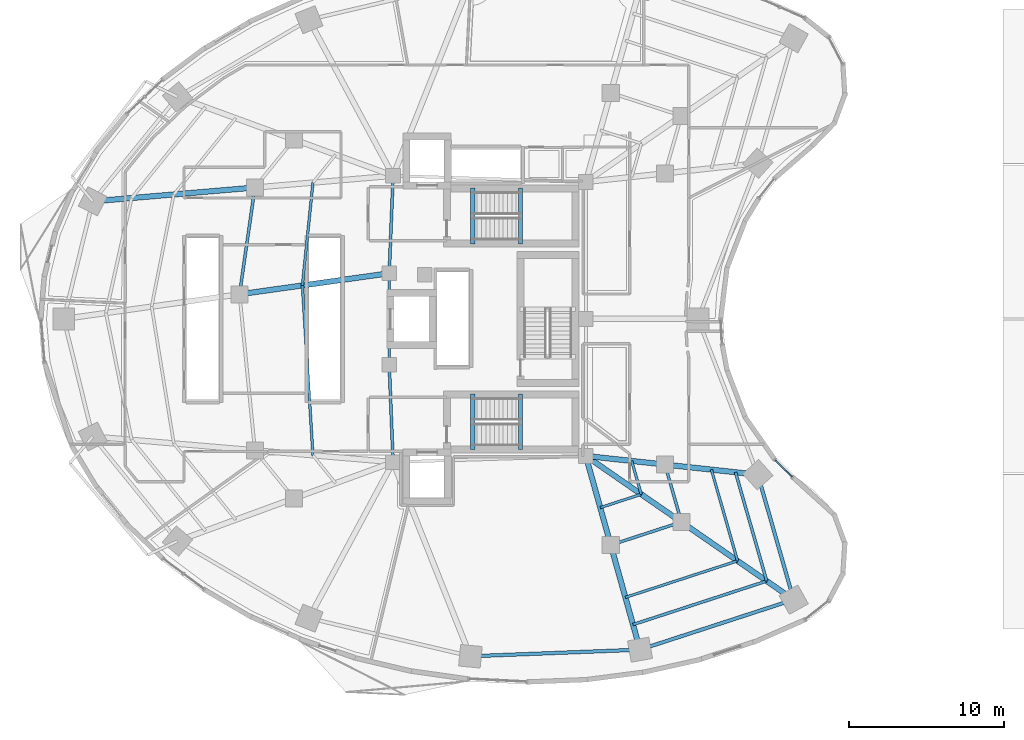
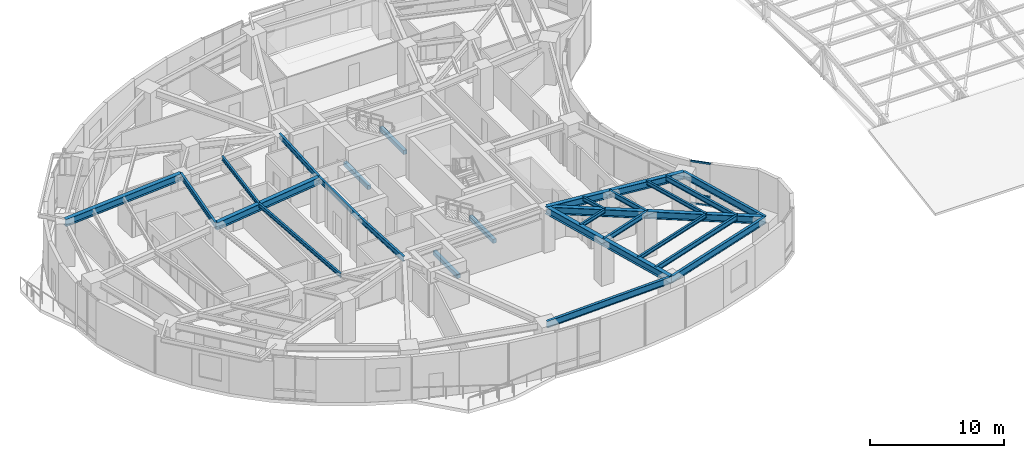
# One storey, part 4 of 17: 29 beams, 3 members, 1 element without a shape of its own.
"""IFC4 building model written with IfcOpenShell, lengths in metres."""

from ifc_helpers import new_model, si_unit, direction, frame, origin, origin_2d, place, context, subcontext, project, spatial, rectangle, i_section, extrude, material, layer, layer_set, material_profile, profile_set, type_object, element, aggregate, save


model = new_model("IFC4")

# Units and contexts
model_context = context("Model", 3, precision=1e-05, world=origin(), true_north=direction((0.0, 1.0)))
body_context = subcontext(model_context, "Body", "Model", "MODEL_VIEW")
ifc_project = project(units=[si_unit("LENGTHUNIT", "METRE"), si_unit("AREAUNIT", "SQUARE_METRE"), si_unit("VOLUMEUNIT", "CUBIC_METRE"), si_unit("PLANEANGLEUNIT", "RADIAN"), si_unit("MASSUNIT", "GRAM", prefix="KILO")], contexts=[model_context])

# Site, building, storey
site_placement = place(None, origin())
site = spatial("IfcSite", under=ifc_project, at=site_placement, CompositionType="ELEMENT")
building_placement = place(site_placement, origin())
building = spatial("IfcBuilding", under=site, at=building_placement, Name="Korentha Bioscience Tower", CompositionType="ELEMENT")
storey_placement = place(building_placement, frame((0.0, 0.0, 25.800048828125)))
storey = spatial("IfcBuildingStorey", under=building, at=storey_placement, Name="L05", CompositionType="ELEMENT", Elevation=25.800048828125)

# Beams
ifc_material_1 = material(Name="Concrete C50", Category="concrete")
ifc_material_profile_1 = material_profile(ifc_material_1, rectangle(XDim=0.280029296875, YDim=0.3798828125, at=origin_2d()), Name="Concrete C50")
ifc_profile_set_1 = profile_set([ifc_material_profile_1], Name="Concrete C50 (ST-HB380)")
beam_type_1 = type_object("IfcBeamType", Name="Concrete Stair Header Beam RC 280x380", PredefinedType="BEAM", material=ifc_profile_set_1)
for number, where, z_axis, x_axis, name in (
    (1, (30.25, 31.85009765625, -0.18994140625), (0.0, 1.0, 0.0), (-1.0, 0.0, 0.0), "L05 ST-1 Concrete Stair Header Beam"),
    (2, (33.330078125, 31.85009765625, 1.909912109375), (0.0, 1.0, 0.0), (-1.0, 0.0, 0.0), "L05 ST-1 Half-Landing Header Beam 1"),
    (3, (30.25, 18.550048828125, -0.18994140625), (0.0, 1.0, 0.0), (-1.0, 0.0, 0.0), "L05 ST-2 Concrete Stair Header Beam"),
    (4, (33.330078125, 18.550048828125, 1.909912109375), (0.0, 1.0, 0.0), (-1.0, 0.0, 0.0), "L05 ST-2 Half-Landing Header Beam 1"),
):
    element("IfcBeam", number, at=place(storey_placement, frame(where, z_axis=z_axis, x_axis=x_axis)), inside=storey, type_object=beam_type_1, Name=name, PredefinedType="BEAM", context=body_context, shape_type="SweptSolid", body=[
        extrude(rectangle(XDim=0.280029296875, YDim=0.3798828125, at=origin_2d()), origin(), (0.0, 0.0, 1.0), 3.599853515625),
    ])
ifc_material_2 = material(Name="Steel S355", Category="steel")
ifc_material_profile_2 = material_profile(ifc_material_2, i_section(OverallWidth=0.18994140625, OverallDepth=0.45703125, WebThickness=0.009033203125, FlangeThickness=0.014404296875, at=origin_2d()), Name="Steel S355")
ifc_profile_set_2 = profile_set([ifc_material_profile_2], Name="Steel S355 (MB-460)")
beam_type_2 = type_object("IfcBeamType", Name="Mid-Ring Tie Girder W460x74", PredefinedType="BEAM", material=ifc_profile_set_2)
beam_1_placement = place(storey_placement, frame((16.174072265625, 35.489013671875, 3.67138671875), z_axis=(-0.14286846228, -0.989741684727, 0.0), x_axis=(0.989741684727, -0.14286846228, 0.0)))
element("IfcBeam", 5, at=beam_1_placement, inside=storey, type_object=beam_type_2, Name="L05 Mid-Ring Tie Girder 06", PredefinedType="BEAM", context=body_context, shape_type="SweptSolid", body=[
    extrude(i_section(OverallWidth=0.18994140625, OverallDepth=0.45703125, WebThickness=0.009033203125, FlangeThickness=0.014404296875, at=origin_2d()), origin(), (0.0, 0.0, 1.0), 6.967041015625),
])
beam_2_placement = place(storey_placement, frame((39.1611328125, 12.392333984375, 3.67138671875), z_axis=(0.950877001105, 0.309568940253, 0.0), x_axis=(-0.309568940253, 0.950877001105, 0.0)))
element("IfcBeam", 6, at=beam_2_placement, inside=storey, type_object=beam_type_2, Name="L05 Mid-Ring Tie Girder 12", PredefinedType="BEAM", context=body_context, shape_type="SweptSolid", body=[
    extrude(i_section(OverallWidth=0.18994140625, OverallDepth=0.45703125, WebThickness=0.009033203125, FlangeThickness=0.014404296875, at=origin_2d()), origin(), (0.0, 0.0, 1.0), 4.80126953125),
])
beam_3_placement = place(storey_placement, frame((43.7265625, 13.878662109375, 3.67138671875), z_axis=(-0.27560557792, 0.961270807535, 0.0), x_axis=(-0.961270807535, -0.27560557792, 0.0)))
element("IfcBeam", 7, at=beam_3_placement, inside=storey, type_object=beam_type_2, Name="L05 Mid-Ring Tie Girder 13", PredefinedType="BEAM", context=body_context, shape_type="SweptSolid", body=[
    extrude(i_section(OverallWidth=0.18994140625, OverallDepth=0.45703125, WebThickness=0.009033203125, FlangeThickness=0.014404296875, at=origin_2d()), origin(), (0.0, 0.0, 1.0), 3.864013671875),
])
beam_4_placement = place(storey_placement, frame((25.10009765625, 36.25, 3.67138671875), z_axis=(-0.039651025576, -0.999213588864, 0.0), x_axis=(0.999213588864, -0.039651025576, 0.0)))
element("IfcBeam", 8, at=beam_4_placement, inside=storey, type_object=beam_type_2, Name="L05 Core Ring Tie Girder 02", PredefinedType="BEAM", context=body_context, shape_type="SweptSolid", body=[
    extrude(i_section(OverallWidth=0.18994140625, OverallDepth=0.45703125, WebThickness=0.009033203125, FlangeThickness=0.014404296875, at=origin_2d()), origin(), (0.0, 0.0, 1.0), 6.304931640625),
])
beam_5_placement = place(storey_placement, frame((24.85009765625, 29.949951171875, 3.67138671875), z_axis=(0.0, -1.0, 0.0), x_axis=(1.0, 0.0, 0.0)))
element("IfcBeam", 9, at=beam_5_placement, inside=storey, type_object=beam_type_2, Name="L05 Core Ring Tie Girder 03", PredefinedType="BEAM", context=body_context, shape_type="SweptSolid", body=[
    extrude(i_section(OverallWidth=0.18994140625, OverallDepth=0.45703125, WebThickness=0.009033203125, FlangeThickness=0.014404296875, at=origin_2d()), origin(), (0.0, 0.0, 1.0), 5.89990234375),
])
beam_6_placement = place(storey_placement, frame((24.85009765625, 24.050048828125, 3.67138671875), z_axis=(0.039651025576, -0.999213588864, 0.0), x_axis=(0.999213588864, 0.039651025576, 0.0)))
element("IfcBeam", 10, at=beam_6_placement, inside=storey, type_object=beam_type_2, Name="L05 Core Ring Tie Girder 04", PredefinedType="BEAM", context=body_context, shape_type="SweptSolid", body=[
    extrude(i_section(OverallWidth=0.18994140625, OverallDepth=0.45703125, WebThickness=0.009033203125, FlangeThickness=0.014404296875, at=origin_2d()), origin(), (0.0, 0.0, 1.0), 6.304931640625),
])
ifc_material_profile_3 = material_profile(ifc_material_2, i_section(OverallWidth=0.22802734375, OverallDepth=0.60791015625, WebThickness=0.01123046875, FlangeThickness=0.017333984375, at=origin_2d()), Name="Steel S355")
ifc_profile_set_3 = profile_set([ifc_material_profile_3], Name="Steel S355 (SB-610)")
beam_type_3 = type_object("IfcBeamType", Name="Perimeter Ring Spandrel Girder W610x113", PredefinedType="SPANDREL", material=ifc_profile_set_3)
beam_7_placement = place(storey_placement, frame((30.09423828125, 5.20751953125, 3.595947265625), z_axis=(0.999246003889, 0.03882555488, 0.0), x_axis=(-0.03882555488, 0.999246003889, 0.0)))
element("IfcBeam", 11, at=beam_7_placement, inside=storey, type_object=beam_type_3, Name="L05 Perimeter Spandrel Girder 11", PredefinedType="SPANDREL", context=body_context, shape_type="SweptSolid", body=[
    extrude(i_section(OverallWidth=0.22802734375, OverallDepth=0.60791015625, WebThickness=0.01123046875, FlangeThickness=0.017333984375, at=origin_2d()), origin(), (0.0, 0.0, 1.0), 10.966552734375),
])
beam_8_placement = place(storey_placement, frame((41.052490234375, 5.63330078125, 3.595947265625), z_axis=(0.95087511444, 0.309574735305, 0.0), x_axis=(-0.309574735305, 0.95087511444, 0.0)))
element("IfcBeam", 12, at=beam_8_placement, inside=storey, type_object=beam_type_3, Name="L05 Perimeter Spandrel Girder 12", PredefinedType="SPANDREL", context=body_context, shape_type="SweptSolid", body=[
    extrude(i_section(OverallWidth=0.22802734375, OverallDepth=0.60791015625, WebThickness=0.01123046875, FlangeThickness=0.017333984375, at=origin_2d()), origin(), (0.0, 0.0, 1.0), 10.4375),
])
beam_9_placement = place(storey_placement, frame((50.977294921875, 8.864501953125, 3.595947265625), z_axis=(-0.275642273411, 0.961260285827, 0.0), x_axis=(-0.961260285827, -0.275642273411, 0.0)))
element("IfcBeam", 13, at=beam_9_placement, inside=storey, type_object=beam_type_3, Name="L05 Perimeter Spandrel Girder 13", PredefinedType="SPANDREL", context=body_context, shape_type="SweptSolid", body=[
    extrude(i_section(OverallWidth=0.22802734375, OverallDepth=0.60791015625, WebThickness=0.01123046875, FlangeThickness=0.017333984375, at=origin_2d()), origin(), (0.0, 0.0, 1.0), 8.400146484375),
])
ifc_material_profile_4 = material_profile(ifc_material_2, i_section(OverallWidth=0.18994140625, OverallDepth=0.45703125, WebThickness=0.009033203125, FlangeThickness=0.014404296875, at=origin_2d()), Name="Steel S355")
ifc_profile_set_4 = profile_set([ifc_material_profile_4], Name="Steel S355 (RB-460)")
beam_type_4 = type_object("IfcBeamType", Name="Radial Laboratory Beam W460x74", PredefinedType="BEAM", material=ifc_profile_set_4)
beam_10_placement = place(storey_placement, frame((40.5986328125, 7.255615234375, 3.67138671875), z_axis=(0.95087437499, 0.309577006554, 0.0), x_axis=(-0.309577006554, 0.95087437499, 0.0)))
element("IfcBeam", 14, at=beam_10_placement, inside=storey, type_object=beam_type_4, Name="L05 Secondary Floor Beam JSTO-12", PredefinedType="BEAM", context=body_context, shape_type="SweptSolid", body=[
    extrude(i_section(OverallWidth=0.18994140625, OverallDepth=0.45703125, WebThickness=0.009033203125, FlangeThickness=0.014404296875, at=origin_2d()), origin(), (0.0, 0.0, 1.0), 9.0849609375),
])
beam_11_placement = place(storey_placement, frame((49.2373046875, 10.068115234375, 3.67138671875), z_axis=(-0.275682421415, 0.961248772443, 0.0), x_axis=(-0.961248772443, -0.275682421415, 0.0)))
element("IfcBeam", 15, at=beam_11_placement, inside=storey, type_object=beam_type_4, Name="L05 Secondary Floor Beam JSTO-13", PredefinedType="BEAM", context=body_context, shape_type="SweptSolid", body=[
    extrude(i_section(OverallWidth=0.18994140625, OverallDepth=0.45703125, WebThickness=0.009033203125, FlangeThickness=0.014404296875, at=origin_2d()), origin(), (0.0, 0.0, 1.0), 7.3115234375),
])
ifc_material_profile_5 = material_profile(ifc_material_2, i_section(OverallWidth=0.35009765625, OverallDepth=0.64990234375, WebThickness=0.01611328125, FlangeThickness=0.02490234375, at=origin_2d()), Name="Steel S355")
ifc_profile_set_5 = profile_set([ifc_material_profile_5], Name="Steel S355 (RB-650)")
beam_type_5 = type_object("IfcBeamType", Name="Radial Laboratory Girder CVS 650x208", PredefinedType="BEAM", material=ifc_profile_set_5)
beam_12_placement = place(storey_placement, frame((16.174072265625, 35.489013671875, 3.574951171875), z_axis=(-0.996385601055, -0.084945476695, 0.0), x_axis=(0.084945476695, -0.996385601055, 0.0)))
element("IfcBeam", 16, at=beam_12_placement, inside=storey, type_object=beam_type_5, Name="L05 Outer Radial Girder 06", PredefinedType="BEAM", context=body_context, shape_type="SweptSolid", body=[
    extrude(i_section(OverallWidth=0.35009765625, OverallDepth=0.64990234375, WebThickness=0.01611328125, FlangeThickness=0.02490234375, at=origin_2d()), origin(), (0.0, 0.0, 1.0), 10.516357421875),
])
beam_13_placement = place(storey_placement, frame((24.85009765625, 29.949951171875, 3.574951171875), z_axis=(-0.990307253072, -0.138894004596, 0.0), x_axis=(0.138894004596, -0.990307253072, 0.0)))
element("IfcBeam", 17, at=beam_13_placement, inside=storey, type_object=beam_type_5, Name="L05 Inner Radial Girder 07", PredefinedType="BEAM", context=body_context, shape_type="SweptSolid", body=[
    extrude(i_section(OverallWidth=0.35009765625, OverallDepth=0.64990234375, WebThickness=0.01611328125, FlangeThickness=0.02490234375, at=origin_2d()), origin(), (0.0, 0.0, 1.0), 9.76611328125),
])
beam_14_placement = place(storey_placement, frame((37.550048828125, 18.14990234375, 3.574951171875), z_axis=(0.269469369205, -0.963008961049, 0.0), x_axis=(0.963008961049, 0.269469369205, 0.0)))
element("IfcBeam", 18, at=beam_14_placement, inside=storey, type_object=beam_type_5, Name="L05 Inner Radial Girder 12", PredefinedType="BEAM", context=body_context, shape_type="SweptSolid", body=[
    extrude(i_section(OverallWidth=0.35009765625, OverallDepth=0.64990234375, WebThickness=0.01611328125, FlangeThickness=0.02490234375, at=origin_2d()), origin(), (0.0, 0.0, 1.0), 5.978759765625),
])
beam_15_placement = place(storey_placement, frame((39.1611328125, 12.392333984375, 3.574951171875), z_axis=(0.269475095129, -0.963007358801, 0.0), x_axis=(0.963007358801, 0.269475095129, 0.0)))
element("IfcBeam", 19, at=beam_15_placement, inside=storey, type_object=beam_type_5, Name="L05 Outer Radial Girder 12", PredefinedType="BEAM", context=body_context, shape_type="SweptSolid", body=[
    extrude(i_section(OverallWidth=0.35009765625, OverallDepth=0.64990234375, WebThickness=0.01611328125, FlangeThickness=0.02490234375, at=origin_2d()), origin(), (0.0, 0.0, 1.0), 7.0185546875),
])
beam_16_placement = place(storey_placement, frame((37.550048828125, 18.14990234375, 3.574951171875), z_axis=(0.822491697625, -0.568777115694, 0.0), x_axis=(0.568777115694, 0.822491697625, 0.0)))
element("IfcBeam", 20, at=beam_16_placement, inside=storey, type_object=beam_type_5, Name="L05 Inner Radial Girder 13", PredefinedType="BEAM", context=body_context, shape_type="SweptSolid", body=[
    extrude(i_section(OverallWidth=0.35009765625, OverallDepth=0.64990234375, WebThickness=0.01611328125, FlangeThickness=0.02490234375, at=origin_2d()), origin(), (0.0, 0.0, 1.0), 7.509521484375),
])
beam_17_placement = place(storey_placement, frame((43.7265625, 13.878662109375, 3.574951171875), z_axis=(0.822488186113, -0.568782193555, 0.0), x_axis=(0.568782193555, 0.822488186113, 0.0)))
element("IfcBeam", 21, at=beam_17_placement, inside=storey, type_object=beam_type_5, Name="L05 Outer Radial Girder 13", PredefinedType="BEAM", context=body_context, shape_type="SweptSolid", body=[
    extrude(i_section(OverallWidth=0.35009765625, OverallDepth=0.64990234375, WebThickness=0.01611328125, FlangeThickness=0.02490234375, at=origin_2d()), origin(), (0.0, 0.0, 1.0), 8.815673828125),
])
beam_18_placement = place(storey_placement, frame((37.550048828125, 18.14990234375, 3.574951171875), z_axis=(0.994117709144, -0.10830503389, 0.0), x_axis=(0.10830503389, 0.994117709144, 0.0)))
element("IfcBeam", 22, at=beam_18_placement, inside=storey, type_object=beam_type_5, Name="L05 Inner Radial Girder 14", PredefinedType="BEAM", context=body_context, shape_type="SweptSolid", body=[
    extrude(i_section(OverallWidth=0.35009765625, OverallDepth=0.64990234375, WebThickness=0.01611328125, FlangeThickness=0.02490234375, at=origin_2d()), origin(), (0.0, 0.0, 1.0), 5.141845703125),
])
beam_19_placement = place(storey_placement, frame((42.66162109375, 17.593017578125, 3.574951171875), z_axis=(0.994115805925, -0.108322501862, 0.0), x_axis=(0.108322501862, 0.994115805925, 0.0)))
element("IfcBeam", 23, at=beam_19_placement, inside=storey, type_object=beam_type_5, Name="L05 Outer Radial Girder 14", PredefinedType="BEAM", context=body_context, shape_type="SweptSolid", body=[
    extrude(i_section(OverallWidth=0.35009765625, OverallDepth=0.64990234375, WebThickness=0.01611328125, FlangeThickness=0.02490234375, at=origin_2d()), origin(), (0.0, 0.0, 1.0), 6.03564453125),
])
ifc_material_profile_6 = material_profile(ifc_material_2, i_section(OverallWidth=0.1708984375, OverallDepth=0.35498046875, WebThickness=0.007080078125, FlangeThickness=0.01171875, at=origin_2d()), Name="Steel S355")
ifc_profile_set_6 = profile_set([ifc_material_profile_6], Name="Steel S355 (JB-360)")
beam_type_6 = type_object("IfcBeamType", Name="Secondary Laboratory Joist W360x51", PredefinedType="JOIST", material=ifc_profile_set_6)
beam_20_placement = place(storey_placement, frame((19.9228515625, 35.80859375, 3.722412109375), z_axis=(-0.102144778597, -0.994769543264, 0.0), x_axis=(0.994769543264, -0.102144778597, 0.0)))
element("IfcBeam", 24, at=beam_20_placement, inside=storey, type_object=beam_type_6, Name="L05 Inner Bay Joist 06", PredefinedType="JOIST", context=body_context, shape_type="SweptSolid", body=[
    extrude(i_section(OverallWidth=0.1708984375, OverallDepth=0.35498046875, WebThickness=0.007080078125, FlangeThickness=0.01171875, at=origin_2d()), origin(), (0.0, 0.0, 1.0), 6.680419921875),
])
beam_21_placement = place(storey_placement, frame((19.240478515625, 29.1630859375, 3.722412109375), z_axis=(0.062074098012, -0.998071543706, 0.0), x_axis=(0.998071543706, 0.062074098012, 0.0)))
element("IfcBeam", 25, at=beam_21_placement, inside=storey, type_object=beam_type_6, Name="L05 Inner Bay Joist 07", PredefinedType="JOIST", context=body_context, shape_type="SweptSolid", body=[
    extrude(i_section(OverallWidth=0.1708984375, OverallDepth=0.35498046875, WebThickness=0.007080078125, FlangeThickness=0.01171875, at=origin_2d()), origin(), (0.0, 0.0, 1.0), 10.992919921875),
])
beam_22_placement = place(storey_placement, frame((40.10693359375, 9.0126953125, 3.722412109375), z_axis=(0.950870992772, 0.309587394938, 0.0), x_axis=(-0.309587394938, 0.950870992772, 0.0)))
element("IfcBeam", 26, at=beam_22_placement, inside=storey, type_object=beam_type_6, Name="L05 Secondary Floor Beam JST-12", PredefinedType="JOIST", context=body_context, shape_type="SweptSolid", body=[
    extrude(i_section(OverallWidth=0.1708984375, OverallDepth=0.35498046875, WebThickness=0.007080078125, FlangeThickness=0.01171875, at=origin_2d()), origin(), (0.0, 0.0, 1.0), 7.619384765625),
])
beam_23_placement = place(storey_placement, frame((38.484619140625, 14.810546875, 3.722412109375), z_axis=(0.950869630746, 0.309591578254, 0.0), x_axis=(-0.309591578254, 0.950869630746, 0.0)))
element("IfcBeam", 27, at=beam_23_placement, inside=storey, type_object=beam_type_6, Name="L05 Inner Bay Joist 12", PredefinedType="JOIST", context=body_context, shape_type="SweptSolid", body=[
    extrude(i_section(OverallWidth=0.1708984375, OverallDepth=0.35498046875, WebThickness=0.007080078125, FlangeThickness=0.01171875, at=origin_2d()), origin(), (0.0, 0.0, 1.0), 2.784423828125),
])
beam_24_placement = place(storey_placement, frame((47.35205078125, 11.37158203125, 3.722412109375), z_axis=(-0.275667500387, 0.96125305161, 0.0), x_axis=(-0.96125305161, -0.275667500387, 0.0)))
element("IfcBeam", 28, at=beam_24_placement, inside=storey, type_object=beam_type_6, Name="L05 Secondary Floor Beam JST-13", PredefinedType="JOIST", context=body_context, shape_type="SweptSolid", body=[
    extrude(i_section(OverallWidth=0.1708984375, OverallDepth=0.35498046875, WebThickness=0.007080078125, FlangeThickness=0.01171875, at=origin_2d()), origin(), (0.0, 0.0, 1.0), 6.132080078125),
])
beam_25_placement = place(storey_placement, frame((41.13232421875, 15.672607421875, 3.722412109375), z_axis=(-0.275613067773, 0.961268660091, 0.0), x_axis=(-0.961268660091, -0.275613067773, 0.0)))
element("IfcBeam", 29, at=beam_25_placement, inside=storey, type_object=beam_type_6, Name="L05 Inner Bay Joist 13", PredefinedType="JOIST", context=body_context, shape_type="SweptSolid", body=[
    extrude(i_section(OverallWidth=0.1708984375, OverallDepth=0.35498046875, WebThickness=0.007080078125, FlangeThickness=0.01171875, at=origin_2d()), origin(), (0.0, 0.0, 1.0), 2.2412109375),
])

# Curtain wall, members
ifc_material_3 = material(Name="Thermally Broken Aluminium Frame", Category="aluminium")
ifc_layer = layer(ifc_material_3, 0.219970703125, Name="Thermally Broken Aluminium Frame")
ifc_layer_set = layer_set([ifc_layer], Name="Thermally Broken Aluminium Frame (CW-T1)")
curtain_wall_type = type_object("IfcCurtainWallType", Name="Standard Bioscience Lab Unitised Curtain Wall CW-T1", PredefinedType="USERDEFINED", material=ifc_layer_set)
curtain_wall_placement = place(storey_placement, origin())
curtain_wall = element("IfcCurtainWall", 30, at=curtain_wall_placement, inside=storey, type_object=curtain_wall_type, Name="L05 Curtain Wall 43", ObjectType="UNITISED", PredefinedType="USERDEFINED")
ifc_material_4 = material(Name="Anodised Aluminium 6063-T6", Category="aluminium")
ifc_material_profile_7 = material_profile(ifc_material_4, rectangle(XDim=0.090087890625, YDim=0.159912109375, at=origin_2d()), Name="Anodised Aluminium 6063-T6")
ifc_profile_set_7 = profile_set([ifc_material_profile_7], Name="Anodised Aluminium 6063-T6 (CW-TRN)")
member_type = type_object("IfcMemberType", Name="Transom RECT 90x160", PredefinedType="USERDEFINED", material=ifc_profile_set_7)
member_1_placement = place(storey_placement, frame((50.8818359375, 16.796875, 0.044921875), z_axis=(-0.713350356322, 0.700807583531, 0.0), x_axis=(-0.700807583531, -0.713350356322, 0.0)))
member_1 = element("IfcMember", 31, at=member_1_placement, type_object=member_type, Name="CW-L05-43 Bay 1 Transom 1", ObjectType="TRANSOM", PredefinedType="USERDEFINED", context=body_context, shape_type="SweptSolid", body=[
    extrude(rectangle(XDim=0.090087890625, YDim=0.159912109375, at=origin_2d()), origin(), (0.0, 0.0, 1.0), 1.53759765625),
])
member_2_placement = place(storey_placement, frame((50.8818359375, 16.796875, 0.849853515625), z_axis=(-0.713350356322, 0.700807583531, 0.0), x_axis=(-0.700807583531, -0.713350356322, 0.0)))
member_2 = element("IfcMember", 32, at=member_2_placement, type_object=member_type, Name="CW-L05-43 Bay 1 Transom 2", ObjectType="TRANSOM", PredefinedType="USERDEFINED", context=body_context, shape_type="SweptSolid", body=[
    extrude(rectangle(XDim=0.090087890625, YDim=0.159912109375, at=origin_2d()), origin(), (0.0, 0.0, 1.0), 1.53759765625),
])
member_3_placement = place(storey_placement, frame((50.8818359375, 16.796875, 3.85498046875), z_axis=(-0.713350356322, 0.700807583531, 0.0), x_axis=(-0.700807583531, -0.713350356322, 0.0)))
member_3 = element("IfcMember", 33, at=member_3_placement, type_object=member_type, Name="CW-L05-43 Bay 1 Transom 3", ObjectType="TRANSOM", PredefinedType="USERDEFINED", context=body_context, shape_type="SweptSolid", body=[
    extrude(rectangle(XDim=0.090087890625, YDim=0.159912109375, at=origin_2d()), origin(), (0.0, 0.0, 1.0), 1.53759765625),
])
aggregate(curtain_wall, [member_1, member_2, member_3])

save(model, "model.ifc")
